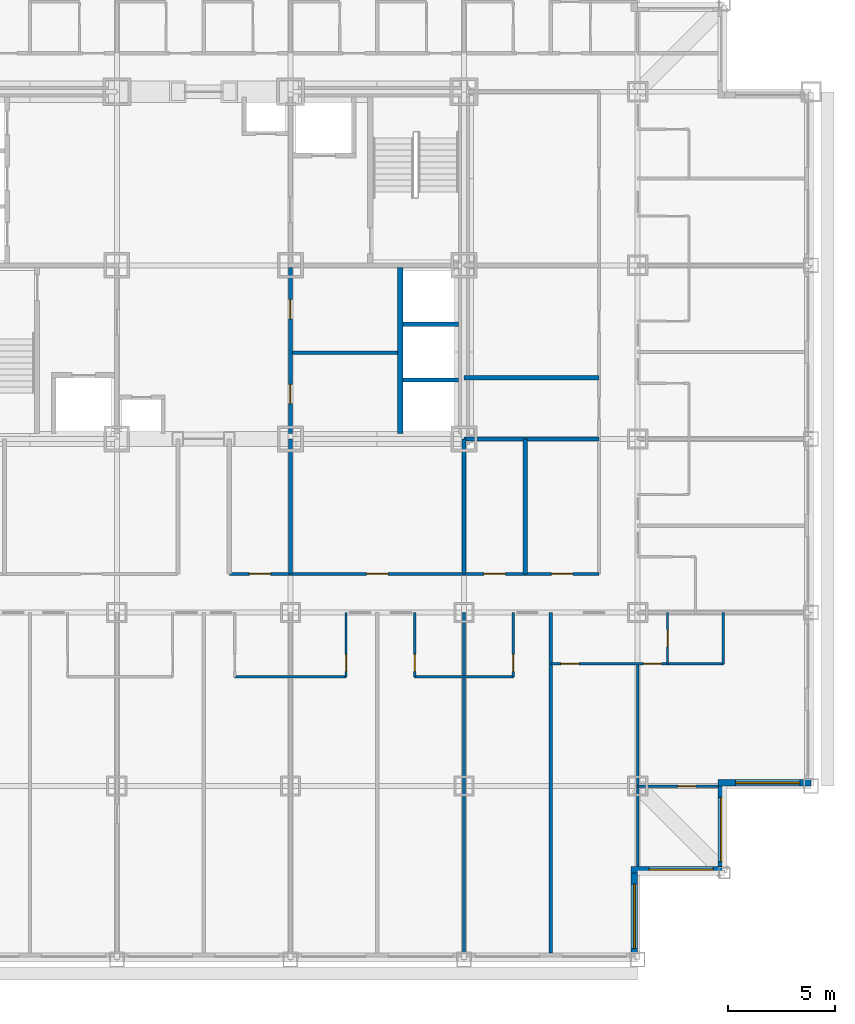
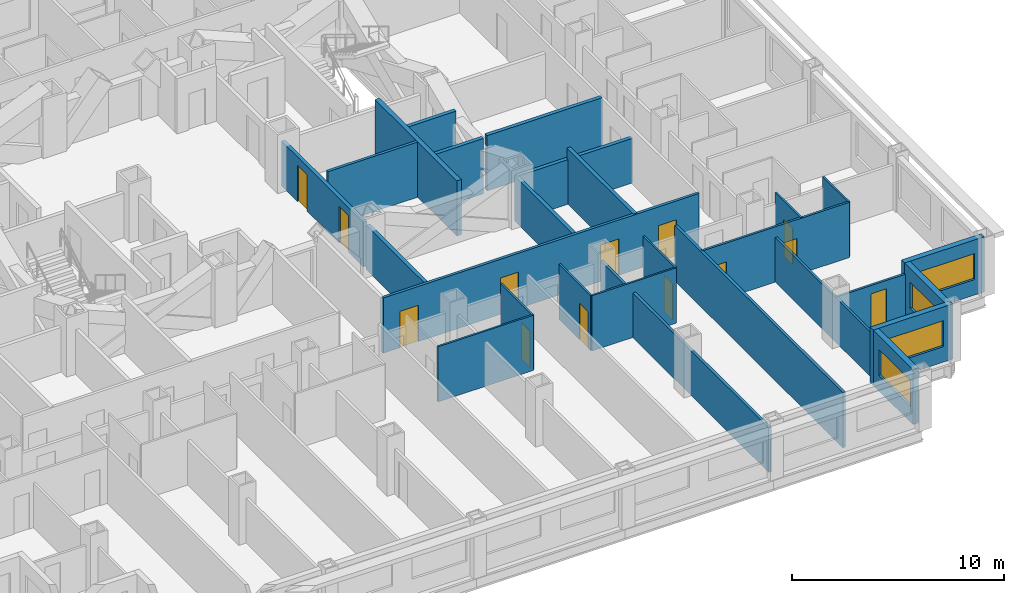
# One storey, part 6 of 12: 27 walls, 13 doors, 4 windows, 17 openings.
"""IFC4 building model written with IfcOpenShell, lengths in metres."""

from ifc_helpers import new_model, si_unit, direction, frame, frame_2d, origin, place, context, subcontext, project, spatial, rectangle, extrude, material, layer, layer_set, type_object, element, fill, save


model = new_model("IFC4")

# Units and contexts
model_context = context("Model", 3, precision=1e-05, world=origin(), true_north=direction((0.0, 1.0)))
body_context = subcontext(model_context, "Body", "Model", "MODEL_VIEW")
ifc_project = project(units=[si_unit("LENGTHUNIT", "METRE"), si_unit("AREAUNIT", "SQUARE_METRE"), si_unit("VOLUMEUNIT", "CUBIC_METRE"), si_unit("PLANEANGLEUNIT", "RADIAN"), si_unit("MASSUNIT", "GRAM", prefix="KILO")], contexts=[model_context])

# Site, building, storey
site_placement = place(None, origin())
site = spatial("IfcSite", under=ifc_project, at=site_placement, CompositionType="ELEMENT")
building_placement = place(site_placement, origin())
building = spatial("IfcBuilding", under=site, at=building_placement, Name="Kopane Lantern Tower", CompositionType="ELEMENT")
storey_placement = place(building_placement, frame((0.0, 0.0, 46.60009765625)))
storey = spatial("IfcBuildingStorey", under=building, at=storey_placement, Name="L10", CompositionType="ELEMENT", Elevation=46.60009765625)

# Wall, openings, doors
ifc_material_1 = material(Name="Gypsum board on steel studs", Category="steel")
ifc_layer_1 = layer(ifc_material_1, 0.1201171875)
ifc_layer_set_1 = layer_set([ifc_layer_1], Name="APARTMENT INTERNAL WALL 120")
wall_type_1 = type_object("IfcWallType", Name="APARTMENT INTERNAL WALL 120", PredefinedType="PARTITIONING", material=ifc_layer_set_1)
wall_1_placement = place(storey_placement, frame((44.550048828125, 13.800048828125, 0.0), z_axis=(0.0, 0.0, 1.0), x_axis=(1.0, 0.0, 0.0)))
wall_1 = element("IfcWall", 1, at=wall_1_placement, inside=storey, type_object=wall_type_1, Name="Apartment Internal Wall 120 L10", PredefinedType="PARTITIONING", context=body_context, shape_type="SweptSolid", body=[
    extrude(rectangle(XDim=8.050048828125, YDim=0.1201171875, at=frame_2d((4.02490234375, 0.0))), origin(), (0.0, 0.0, 1.0), 3.18994140625),
])
opening_1_placement = place(wall_1_placement, frame((0.47509765625, 0.0, 0.0)))
opening_1 = element("IfcOpeningElement", 2, at=opening_1_placement, cuts=wall_1, Name="Opening L10-079", PredefinedType="OPENING", context=body_context, shape_type="SweptSolid", body=[
    extrude(rectangle(XDim=0.85009765625, YDim=2.10009765625, at=frame_2d((0.425048828125, 1.050048828125))), frame((0.0, 0.070068359375, 0.0), z_axis=(0.0, -1.0, 0.0), x_axis=(1.0, 0.0, 0.0)), (0.0, 0.0, 1.0), 0.14013671875),
])
opening_2_placement = place(wall_1_placement, frame((4.324951171875, 0.0, 0.0)))
opening_2 = element("IfcOpeningElement", 3, at=opening_2_placement, cuts=wall_1, Name="Opening L10-081", PredefinedType="OPENING", context=body_context, shape_type="SweptSolid", body=[
    extrude(rectangle(XDim=0.85009765625, YDim=2.10009765625, at=frame_2d((0.425048828125, 1.050048828125))), frame((0.0, 0.070068359375, 0.0), z_axis=(0.0, -1.0, 0.0), x_axis=(1.0, 0.0, 0.0)), (0.0, 0.0, 1.0), 0.14013671875),
])
ifc_material_2 = material(Name="Timber door set", Category="wood")
door_type_1 = type_object("IfcDoorType", Name="DOOR D4 850x2100", OperationType="SINGLE_SWING_LEFT", PredefinedType="DOOR", material=ifc_material_2)
door_1_placement = place(opening_1_placement, origin())
door_1 = element("IfcDoor", 4, at=door_1_placement, inside=storey, type_object=door_type_1, Name="Door L10-079", OperationType="SINGLE_SWING_LEFT", OverallHeight=2.10009765625, OverallWidth=0.85009765625, PredefinedType="DOOR", context=body_context, shape_type="SweptSolid", body=[
    extrude(rectangle(XDim=0.85009765625, YDim=2.10009765625, at=frame_2d((0.425048828125, 1.050048828125))), frame((0.0, 0.02490234375, 0.0), z_axis=(0.0, -1.0, 0.0), x_axis=(1.0, 0.0, 0.0)), (0.0, 0.0, 1.0), 0.050048828125),
])
fill(opening_1, door_1)
door_2_placement = place(opening_2_placement, origin())
door_2 = element("IfcDoor", 5, at=door_2_placement, inside=storey, type_object=door_type_1, Name="Door L10-081", OperationType="SINGLE_SWING_RIGHT", OverallHeight=2.10009765625, OverallWidth=0.85009765625, PredefinedType="DOOR", context=body_context, shape_type="SweptSolid", body=[
    extrude(rectangle(XDim=0.85009765625, YDim=2.10009765625, at=frame_2d((0.425048828125, 1.050048828125))), frame((0.0, 0.02490234375, 0.0), z_axis=(0.0, -1.0, 0.0), x_axis=(1.0, 0.0, 0.0)), (0.0, 0.0, 1.0), 0.050048828125),
])
fill(opening_2, door_2)

# Wall
wall_2_placement = place(storey_placement, frame((48.60009765625, 13.800048828125, 0.0), z_axis=(0.0, 0.0, 1.0), x_axis=(0.0, -1.0, 0.0)))
element("IfcWall", 6, at=wall_2_placement, inside=storey, type_object=wall_type_1, Name="Apartment Internal Wall 120 L10", PredefinedType="PARTITIONING", context=body_context, shape_type="SweptSolid", body=[
    extrude(rectangle(XDim=9.449951171875, YDim=0.1201171875, at=frame_2d((4.72509765625, 0.0))), origin(), (0.0, 0.0, 1.0), 2.57763671875),
])

# Wall, opening, door
wall_3_placement = place(storey_placement, frame((48.60009765625, 8.10009765625, 0.0), z_axis=(0.0, 0.0, 1.0), x_axis=(1.0, 0.0, 0.0)))
wall_3 = element("IfcWall", 7, at=wall_3_placement, inside=storey, type_object=wall_type_1, Name="Apartment Internal Wall 120 L10", PredefinedType="PARTITIONING", context=body_context, shape_type="SweptSolid", body=[
    extrude(rectangle(XDim=3.75, YDim=0.1201171875, at=frame_2d((1.875, 0.0))), origin(), (0.0, 0.0, 1.0), 2.57763671875),
])
opening_3_placement = place(wall_3_placement, frame((1.875, 0.0, 0.0)))
opening_3 = element("IfcOpeningElement", 8, at=opening_3_placement, cuts=wall_3, Name="Opening L10-082", PredefinedType="OPENING", context=body_context, shape_type="SweptSolid", body=[
    extrude(rectangle(XDim=0.85009765625, YDim=2.10009765625, at=frame_2d((0.425048828125, 1.050048828125))), frame((0.0, 0.070068359375, 0.0), z_axis=(0.0, -1.0, 0.0), x_axis=(1.0, 0.0, 0.0)), (0.0, 0.0, 1.0), 0.14013671875),
])
door_3_placement = place(opening_3_placement, origin())
door_3 = element("IfcDoor", 9, at=door_3_placement, inside=storey, type_object=door_type_1, Name="Door L10-082", OperationType="SINGLE_SWING_LEFT", OverallHeight=2.10009765625, OverallWidth=0.85009765625, PredefinedType="DOOR", context=body_context, shape_type="SweptSolid", body=[
    extrude(rectangle(XDim=0.85009765625, YDim=2.10009765625, at=frame_2d((0.425048828125, 1.050048828125))), frame((0.0, 0.02490234375, 0.0), z_axis=(0.0, -1.0, 0.0), x_axis=(1.0, 0.0, 0.0)), (0.0, 0.0, 1.0), 0.050048828125),
])
fill(opening_3, door_3)

# Wall
ifc_material_3 = material(Name="Moisture-resistant board on steel studs", Category="steel")
ifc_layer_2 = layer(ifc_material_3, 0.10009765625)
ifc_layer_set_2 = layer_set([ifc_layer_2], Name="BATHROOM WALL 100")
wall_type_2 = type_object("IfcWallType", Name="BATHROOM WALL 100", PredefinedType="PARTITIONING", material=ifc_layer_set_2)
wall_4_placement = place(storey_placement, frame((29.800048828125, 13.199951171875, 0.0), z_axis=(0.0, 0.0, 1.0), x_axis=(1.0, 0.0, 0.0)))
element("IfcWall", 10, at=wall_4_placement, inside=storey, type_object=wall_type_2, Name="Bathroom Wall 100 L10", PredefinedType="PARTITIONING", context=body_context, shape_type="SweptSolid", body=[
    extrude(rectangle(XDim=5.199951171875, YDim=0.10009765625, at=frame_2d((2.60009765625, 0.0))), origin(), (0.0, 0.0, 1.0), 3.18994140625),
])

# Wall, opening, door
wall_5_placement = place(storey_placement, frame((35.0, 16.199951171875, 0.0), z_axis=(0.0, 0.0, 1.0), x_axis=(0.0, -1.0, 0.0)))
wall_5 = element("IfcWall", 11, at=wall_5_placement, inside=storey, type_object=wall_type_2, Name="Bathroom Wall 100 L10", PredefinedType="PARTITIONING", context=body_context, shape_type="SweptSolid", body=[
    extrude(rectangle(XDim=3.0, YDim=0.10009765625, at=frame_2d((1.5, 0.0))), origin(), (0.0, 0.0, 1.0), 3.18994140625),
])
opening_4_placement = place(wall_5_placement, frame((1.949951171875, 0.0, 0.0)))
opening_4 = element("IfcOpeningElement", 12, at=opening_4_placement, cuts=wall_5, Name="Opening L10-027", PredefinedType="OPENING", context=body_context, shape_type="SweptSolid", body=[
    extrude(rectangle(XDim=0.800048828125, YDim=2.10009765625, at=frame_2d((0.39990234375, 1.050048828125))), frame((0.0, 0.06005859375, 0.0), z_axis=(0.0, -1.0, 0.0), x_axis=(1.0, 0.0, 0.0)), (0.0, 0.0, 1.0), 0.1201171875),
])
ifc_material_4 = material(Name="Timber door set", Category="wood")
door_type_2 = type_object("IfcDoorType", Name="DOOR D2 800x2100", OperationType="SINGLE_SWING_LEFT", PredefinedType="DOOR", material=ifc_material_4)
door_4_placement = place(opening_4_placement, origin())
door_4 = element("IfcDoor", 13, at=door_4_placement, inside=storey, type_object=door_type_2, Name="Door L10-027", OperationType="SINGLE_SWING_LEFT", OverallHeight=2.10009765625, OverallWidth=0.800048828125, PredefinedType="DOOR", context=body_context, shape_type="SweptSolid", body=[
    extrude(rectangle(XDim=0.800048828125, YDim=2.10009765625, at=frame_2d((0.39990234375, 1.050048828125))), frame((0.0, 0.02490234375, 0.0), z_axis=(0.0, -1.0, 0.0), x_axis=(1.0, 0.0, 0.0)), (0.0, 0.0, 1.0), 0.050048828125),
])
fill(opening_4, door_4)

# Wall
wall_6_placement = place(storey_placement, frame((38.199951171875, 13.199951171875, 0.0), z_axis=(0.0, 0.0, 1.0), x_axis=(1.0, 0.0, 0.0)))
element("IfcWall", 14, at=wall_6_placement, inside=storey, type_object=wall_type_2, Name="Bathroom Wall 100 L10", PredefinedType="PARTITIONING", context=body_context, shape_type="SweptSolid", body=[
    extrude(rectangle(XDim=4.60009765625, YDim=0.10009765625, at=frame_2d((2.300048828125, 0.0))), origin(), (0.0, 0.0, 1.0), 3.18994140625),
])

# Wall, opening, door
wall_7_placement = place(storey_placement, frame((38.199951171875, 16.199951171875, 0.0), z_axis=(0.0, 0.0, 1.0), x_axis=(0.0, -1.0, 0.0)))
wall_7 = element("IfcWall", 15, at=wall_7_placement, inside=storey, type_object=wall_type_2, Name="Bathroom Wall 100 L10", PredefinedType="PARTITIONING", context=body_context, shape_type="SweptSolid", body=[
    extrude(rectangle(XDim=3.0, YDim=0.10009765625, at=frame_2d((1.5, 0.0))), origin(), (0.0, 0.0, 1.0), 3.18994140625),
])
opening_5_placement = place(wall_7_placement, frame((1.949951171875, 0.0, 0.0)))
opening_5 = element("IfcOpeningElement", 16, at=opening_5_placement, cuts=wall_7, Name="Opening L10-029", PredefinedType="OPENING", context=body_context, shape_type="SweptSolid", body=[
    extrude(rectangle(XDim=0.800048828125, YDim=2.10009765625, at=frame_2d((0.39990234375, 1.050048828125))), frame((0.0, 0.06005859375, 0.0), z_axis=(0.0, -1.0, 0.0), x_axis=(1.0, 0.0, 0.0)), (0.0, 0.0, 1.0), 0.1201171875),
])
door_5_placement = place(opening_5_placement, origin())
door_5 = element("IfcDoor", 17, at=door_5_placement, inside=storey, type_object=door_type_2, Name="Door L10-029", OperationType="SINGLE_SWING_RIGHT", OverallHeight=2.10009765625, OverallWidth=0.800048828125, PredefinedType="DOOR", context=body_context, shape_type="SweptSolid", body=[
    extrude(rectangle(XDim=0.800048828125, YDim=2.10009765625, at=frame_2d((0.39990234375, 1.050048828125))), frame((0.0, 0.02490234375, 0.0), z_axis=(0.0, -1.0, 0.0), x_axis=(1.0, 0.0, 0.0)), (0.0, 0.0, 1.0), 0.050048828125),
])
fill(opening_5, door_5)

wall_8_placement = place(storey_placement, frame((42.800048828125, 16.199951171875, 0.0), z_axis=(0.0, 0.0, 1.0), x_axis=(0.0, -1.0, 0.0)))
wall_8 = element("IfcWall", 18, at=wall_8_placement, inside=storey, type_object=wall_type_2, Name="Bathroom Wall 100 L10", PredefinedType="PARTITIONING", context=body_context, shape_type="SweptSolid", body=[
    extrude(rectangle(XDim=3.0, YDim=0.10009765625, at=frame_2d((1.5, 0.0))), origin(), (0.0, 0.0, 1.0), 3.18994140625),
])
opening_6_placement = place(wall_8_placement, frame((1.949951171875, 0.0, 0.0)))
opening_6 = element("IfcOpeningElement", 19, at=opening_6_placement, cuts=wall_8, Name="Opening L10-031", PredefinedType="OPENING", context=body_context, shape_type="SweptSolid", body=[
    extrude(rectangle(XDim=0.800048828125, YDim=2.10009765625, at=frame_2d((0.39990234375, 1.050048828125))), frame((0.0, 0.06005859375, 0.0), z_axis=(0.0, -1.0, 0.0), x_axis=(1.0, 0.0, 0.0)), (0.0, 0.0, 1.0), 0.1201171875),
])
door_6_placement = place(opening_6_placement, origin())
door_6 = element("IfcDoor", 20, at=door_6_placement, inside=storey, type_object=door_type_2, Name="Door L10-031", OperationType="SINGLE_SWING_LEFT", OverallHeight=2.10009765625, OverallWidth=0.800048828125, PredefinedType="DOOR", context=body_context, shape_type="SweptSolid", body=[
    extrude(rectangle(XDim=0.800048828125, YDim=2.10009765625, at=frame_2d((0.39990234375, 1.050048828125))), frame((0.0, 0.02490234375, 0.0), z_axis=(0.0, -1.0, 0.0), x_axis=(1.0, 0.0, 0.0)), (0.0, 0.0, 1.0), 0.050048828125),
])
fill(opening_6, door_6)

wall_9_placement = place(storey_placement, frame((50.0, 16.199951171875, 0.0), z_axis=(0.0, 0.0, 1.0), x_axis=(0.0, -1.0, 0.0)))
wall_9 = element("IfcWall", 21, at=wall_9_placement, inside=storey, type_object=wall_type_2, Name="Bathroom Wall 100 L10", PredefinedType="PARTITIONING", context=body_context, shape_type="SweptSolid", body=[
    extrude(rectangle(XDim=2.39990234375, YDim=0.10009765625, at=frame_2d((1.199951171875, 0.0))), origin(), (0.0, 0.0, 1.0), 3.18994140625),
])
opening_7_placement = place(wall_9_placement, frame((0.800048828125, 0.0, 0.0)))
opening_7 = element("IfcOpeningElement", 22, at=opening_7_placement, cuts=wall_9, Name="Opening L10-080", PredefinedType="OPENING", context=body_context, shape_type="SweptSolid", body=[
    extrude(rectangle(XDim=0.800048828125, YDim=2.10009765625, at=frame_2d((0.39990234375, 1.050048828125))), frame((0.0, 0.06005859375, 0.0), z_axis=(0.0, -1.0, 0.0), x_axis=(1.0, 0.0, 0.0)), (0.0, 0.0, 1.0), 0.1201171875),
])
door_7_placement = place(opening_7_placement, origin())
door_7 = element("IfcDoor", 23, at=door_7_placement, inside=storey, type_object=door_type_2, Name="Door L10-080", OperationType="SINGLE_SWING_LEFT", OverallHeight=2.10009765625, OverallWidth=0.800048828125, PredefinedType="DOOR", context=body_context, shape_type="SweptSolid", body=[
    extrude(rectangle(XDim=0.800048828125, YDim=2.10009765625, at=frame_2d((0.39990234375, 1.050048828125))), frame((0.0, 0.02490234375, 0.0), z_axis=(0.0, -1.0, 0.0), x_axis=(1.0, 0.0, 0.0)), (0.0, 0.0, 1.0), 0.050048828125),
])
fill(opening_7, door_7)

# Walls
wall_10_placement = place(storey_placement, frame((52.60009765625, 16.199951171875, 0.0), z_axis=(0.0, 0.0, 1.0), x_axis=(0.0, -1.0, 0.0)))
element("IfcWall", 24, at=wall_10_placement, inside=storey, type_object=wall_type_2, Name="Bathroom Wall 100 L10", PredefinedType="PARTITIONING", context=body_context, shape_type="SweptSolid", body=[
    extrude(rectangle(XDim=2.39990234375, YDim=0.10009765625, at=frame_2d((1.199951171875, 0.0))), origin(), (0.0, 0.0, 1.0), 3.18994140625),
])
ifc_material_5 = material(Name="Gypsum partition EI 60", Category="gypsum")
ifc_layer_3 = layer(ifc_material_5, 0.14990234375)
ifc_layer_set_3 = layer_set([ifc_layer_3], Name="CORE ROOM PARTITION 150 EI 60")
wall_type_3 = type_object("IfcWallType", Name="CORE ROOM PARTITION 150 EI 60", PredefinedType="PARTITIONING", material=ifc_layer_set_3)
wall_11_placement = place(storey_placement, frame((32.5, 28.324951171875, 0.0), z_axis=(0.0, 0.0, 1.0), x_axis=(1.0, 0.0, 0.0)))
element("IfcWall", 25, at=wall_11_placement, inside=storey, type_object=wall_type_3, Name="Core room partition L10 E1", PredefinedType="PARTITIONING", context=body_context, shape_type="SweptSolid", body=[
    extrude(rectangle(XDim=4.89990234375, YDim=0.14990234375, at=frame_2d((2.449951171875, 0.0))), origin(), (0.0, 0.0, 1.0), 3.18994140625),
])

# Wall, openings, doors
ifc_material_6 = material(Name="Gypsum partition EI 60", Category="gypsum")
ifc_layer_4 = layer(ifc_material_6, 0.199951171875)
ifc_layer_set_4 = layer_set([ifc_layer_4], Name="CORE ROOM WALL 200 EI 60")
wall_type_4 = type_object("IfcWallType", Name="CORE ROOM WALL 200 EI 60", PredefinedType="PARTITIONING", material=ifc_layer_set_4)
wall_12_placement = place(storey_placement, frame((32.39990234375, 24.550048828125, 0.0), z_axis=(0.0, 0.0, 1.0), x_axis=(0.0, 1.0, 0.0)))
wall_12 = element("IfcWall", 26, at=wall_12_placement, inside=storey, type_object=wall_type_4, Name="Core room wall L10 XE", PredefinedType="PARTITIONING", context=body_context, shape_type="SweptSolid", body=[
    extrude(rectangle(XDim=7.75, YDim=0.199951171875, at=frame_2d((3.875, 0.0))), origin(), (0.0, 0.0, 1.0), 2.57763671875),
])
opening_8_placement = place(wall_12_placement, frame((1.39990234375, 0.0, 0.0)))
opening_8 = element("IfcOpeningElement", 27, at=opening_8_placement, cuts=wall_12, Name="Opening 10.C20", PredefinedType="OPENING", context=body_context, shape_type="SweptSolid", body=[
    extrude(rectangle(XDim=0.89990234375, YDim=2.10009765625, at=frame_2d((0.449951171875, 1.050048828125))), frame((0.0, 0.10986328125, 0.0), z_axis=(0.0, -1.0, 0.0), x_axis=(1.0, 0.0, 0.0)), (0.0, 0.0, 1.0), 0.219970703125),
])
opening_9_placement = place(wall_12_placement, frame((5.35009765625, 0.0, 0.0)))
opening_9 = element("IfcOpeningElement", 28, at=opening_9_placement, cuts=wall_12, Name="Opening 10.C21", PredefinedType="OPENING", context=body_context, shape_type="SweptSolid", body=[
    extrude(rectangle(XDim=0.89990234375, YDim=2.10009765625, at=frame_2d((0.449951171875, 1.050048828125))), frame((0.0, 0.10986328125, 0.0), z_axis=(0.0, -1.0, 0.0), x_axis=(1.0, 0.0, 0.0)), (0.0, 0.0, 1.0), 0.219970703125),
])
ifc_material_7 = material(Name="Steel door set", Category="steel")
door_type_3 = type_object("IfcDoorType", Name="CORE ROOM DOOR 900x2100 FD60", OperationType="SINGLE_SWING_LEFT", PredefinedType="DOOR", material=ifc_material_7)
door_8_placement = place(opening_8_placement, origin())
door_8 = element("IfcDoor", 29, at=door_8_placement, inside=storey, type_object=door_type_3, Name="Door Linen store L10", OperationType="SINGLE_SWING_LEFT", OverallHeight=2.10009765625, OverallWidth=0.89990234375, PredefinedType="DOOR", context=body_context, shape_type="SweptSolid", body=[
    extrude(rectangle(XDim=0.89990234375, YDim=2.10009765625, at=frame_2d((0.449951171875, 1.050048828125))), frame((0.0, 0.02490234375, 0.0), z_axis=(0.0, -1.0, 0.0), x_axis=(1.0, 0.0, 0.0)), (0.0, 0.0, 1.0), 0.050048828125),
])
fill(opening_8, door_8)
door_9_placement = place(opening_9_placement, origin())
door_9 = element("IfcDoor", 30, at=door_9_placement, inside=storey, type_object=door_type_3, Name="Door Housekeeping store L10", OperationType="SINGLE_SWING_LEFT", OverallHeight=2.10009765625, OverallWidth=0.89990234375, PredefinedType="DOOR", context=body_context, shape_type="SweptSolid", body=[
    extrude(rectangle(XDim=0.89990234375, YDim=2.10009765625, at=frame_2d((0.449951171875, 1.050048828125))), frame((0.0, 0.02490234375, 0.0), z_axis=(0.0, -1.0, 0.0), x_axis=(1.0, 0.0, 0.0)), (0.0, 0.0, 1.0), 0.050048828125),
])
fill(opening_9, door_9)

# Wall
ifc_material_8 = material(Name="Gypsum shaft wall EI 120", Category="gypsum")
ifc_layer_5 = layer(ifc_material_8, 0.25)
ifc_layer_set_5 = layer_set([ifc_layer_5], Name="CORE SHAFT WALL 250 EI 120")
wall_type_5 = type_object("IfcWallType", Name="CORE SHAFT WALL 250 EI 120", PredefinedType="SOLIDWALL", material=ifc_layer_set_5)
wall_13_placement = place(storey_placement, frame((37.52490234375, 24.550048828125, 0.0), z_axis=(0.0, 0.0, 1.0), x_axis=(0.0, 1.0, 0.0)))
element("IfcWall", 31, at=wall_13_placement, inside=storey, type_object=wall_type_5, Name="Core shaft wall L10 XLR", PredefinedType="SOLIDWALL", context=body_context, shape_type="SweptSolid", body=[
    extrude(rectangle(XDim=7.75, YDim=0.25, at=frame_2d((3.875, 0.0))), origin(), (0.0, 0.0, 1.0), 3.18994140625),
])

# Wall, openings, doors
ifc_material_9 = material(Name="Gypsum board on steel studs", Category="steel")
ifc_layer_6 = layer(ifc_material_9, 0.14990234375)
ifc_layer_set_6 = layer_set([ifc_layer_6], Name="CORRIDOR WALL 150 EI 60")
wall_type_6 = type_object("IfcWallType", Name="CORRIDOR WALL 150 EI 60", PredefinedType="PARTITIONING", material=ifc_layer_set_6)
wall_14_placement = place(storey_placement, frame((29.56005859375, 18.0, 0.0), z_axis=(0.0, 0.0, 1.0), x_axis=(1.0, 0.0, 0.0)))
wall_14 = element("IfcWall", 32, at=wall_14_placement, inside=storey, type_object=wall_type_6, Name="Corridor Wall 150 Ei 60 L10", PredefinedType="PARTITIONING", context=body_context, shape_type="SweptSolid", body=[
    extrude(rectangle(XDim=17.239990234375, YDim=0.14990234375, at=frame_2d((8.6201171875, 0.0))), origin(), (0.0, 0.0, 1.0), 3.18994140625),
])
opening_10_placement = place(wall_14_placement, frame((0.918701171875, 0.0, 0.0)))
opening_10 = element("IfcOpeningElement", 33, at=opening_10_placement, cuts=wall_14, Name="Opening L10-012", PredefinedType="OPENING", context=body_context, shape_type="SweptSolid", body=[
    extrude(rectangle(XDim=1.0, YDim=2.10009765625, at=frame_2d((0.5, 1.050048828125))), frame((0.0, 0.0849609375, 0.0), z_axis=(0.0, -1.0, 0.0), x_axis=(1.0, 0.0, 0.0)), (0.0, 0.0, 1.0), 0.169921875),
])
opening_11_placement = place(wall_14_placement, frame((6.3935546875, 0.0, 0.0)))
opening_11 = element("IfcOpeningElement", 34, at=opening_11_placement, cuts=wall_14, Name="Opening L10-013", PredefinedType="OPENING", context=body_context, shape_type="SweptSolid", body=[
    extrude(rectangle(XDim=1.0, YDim=2.10009765625, at=frame_2d((0.5, 1.050048828125))), frame((0.0, 0.0849609375, 0.0), z_axis=(0.0, -1.0, 0.0), x_axis=(1.0, 0.0, 0.0)), (0.0, 0.0, 1.0), 0.169921875),
])
opening_12_placement = place(wall_14_placement, frame((11.86865234375, 0.0, 0.0)))
opening_12 = element("IfcOpeningElement", 35, at=opening_12_placement, cuts=wall_14, Name="Opening L10-014", PredefinedType="OPENING", context=body_context, shape_type="SweptSolid", body=[
    extrude(rectangle(XDim=1.0, YDim=2.10009765625, at=frame_2d((0.5, 1.050048828125))), frame((0.0, 0.0849609375, 0.0), z_axis=(0.0, -1.0, 0.0), x_axis=(1.0, 0.0, 0.0)), (0.0, 0.0, 1.0), 0.169921875),
])
opening_13_placement = place(wall_14_placement, frame((15.0185546875, 0.0, 0.0)))
opening_13 = element("IfcOpeningElement", 36, at=opening_13_placement, cuts=wall_14, Name="Opening L10-015", PredefinedType="OPENING", context=body_context, shape_type="SweptSolid", body=[
    extrude(rectangle(XDim=1.0, YDim=2.10009765625, at=frame_2d((0.5, 1.050048828125))), frame((0.0, 0.0849609375, 0.0), z_axis=(0.0, -1.0, 0.0), x_axis=(1.0, 0.0, 0.0)), (0.0, 0.0, 1.0), 0.169921875),
])
ifc_material_10 = material(Name="Steel door set", Category="steel")
door_type_4 = type_object("IfcDoorType", Name="DOOR D5 1000x2100 FD60", OperationType="SINGLE_SWING_LEFT", PredefinedType="DOOR", material=ifc_material_10)
door_10_placement = place(opening_10_placement, origin())
door_10 = element("IfcDoor", 37, at=door_10_placement, inside=storey, type_object=door_type_4, Name="Door L10-012", OperationType="SINGLE_SWING_LEFT", OverallHeight=2.10009765625, OverallWidth=1.0, PredefinedType="DOOR", context=body_context, shape_type="SweptSolid", body=[
    extrude(rectangle(XDim=1.0, YDim=2.10009765625, at=frame_2d((0.5, 1.050048828125))), frame((0.0, 0.02490234375, 0.0), z_axis=(0.0, -1.0, 0.0), x_axis=(1.0, 0.0, 0.0)), (0.0, 0.0, 1.0), 0.050048828125),
])
fill(opening_10, door_10)
door_11_placement = place(opening_11_placement, origin())
door_11 = element("IfcDoor", 38, at=door_11_placement, inside=storey, type_object=door_type_4, Name="Door L10-013", OperationType="SINGLE_SWING_RIGHT", OverallHeight=2.10009765625, OverallWidth=1.0, PredefinedType="DOOR", context=body_context, shape_type="SweptSolid", body=[
    extrude(rectangle(XDim=1.0, YDim=2.10009765625, at=frame_2d((0.5, 1.050048828125))), frame((0.0, 0.02490234375, 0.0), z_axis=(0.0, -1.0, 0.0), x_axis=(1.0, 0.0, 0.0)), (0.0, 0.0, 1.0), 0.050048828125),
])
fill(opening_11, door_11)
door_12_placement = place(opening_12_placement, origin())
door_12 = element("IfcDoor", 39, at=door_12_placement, inside=storey, type_object=door_type_4, Name="Door L10-014", OperationType="SINGLE_SWING_LEFT", OverallHeight=2.10009765625, OverallWidth=1.0, PredefinedType="DOOR", context=body_context, shape_type="SweptSolid", body=[
    extrude(rectangle(XDim=1.0, YDim=2.10009765625, at=frame_2d((0.5, 1.050048828125))), frame((0.0, 0.02490234375, 0.0), z_axis=(0.0, -1.0, 0.0), x_axis=(1.0, 0.0, 0.0)), (0.0, 0.0, 1.0), 0.050048828125),
])
fill(opening_12, door_12)
door_13_placement = place(opening_13_placement, origin())
door_13 = element("IfcDoor", 40, at=door_13_placement, inside=storey, type_object=door_type_4, Name="Door L10-015", OperationType="SINGLE_SWING_RIGHT", OverallHeight=2.10009765625, OverallWidth=1.0, PredefinedType="DOOR", context=body_context, shape_type="SweptSolid", body=[
    extrude(rectangle(XDim=1.0, YDim=2.10009765625, at=frame_2d((0.5, 1.050048828125))), frame((0.0, 0.02490234375, 0.0), z_axis=(0.0, -1.0, 0.0), x_axis=(1.0, 0.0, 0.0)), (0.0, 0.0, 1.0), 0.050048828125),
])
fill(opening_13, door_13)

# Walls
ifc_material_11 = material(Name="Gypsum board on steel studs", Category="steel")
ifc_layer_7 = layer(ifc_material_11, 0.14990234375)
ifc_layer_set_7 = layer_set([ifc_layer_7], Name="DEMISING WALL 150 EI 60")
wall_type_7 = type_object("IfcWallType", Name="DEMISING WALL 150 EI 60", PredefinedType="PARTITIONING", material=ifc_layer_set_7)
wall_15_placement = place(storey_placement, frame((40.5, 16.199951171875, 0.0), z_axis=(0.0, 0.0, 1.0), x_axis=(0.0, -1.0, 0.0)))
element("IfcWall", 41, at=wall_15_placement, inside=storey, type_object=wall_type_7, Name="Demising Wall 150 Ei 60 L10", PredefinedType="PARTITIONING", context=body_context, shape_type="SweptSolid", body=[
    extrude(rectangle(XDim=15.89990234375, YDim=0.14990234375, at=frame_2d((7.949951171875, 0.0))), origin(), (0.0, 0.0, 1.0), 2.57763671875),
])
wall_16_placement = place(storey_placement, frame((44.550048828125, 16.199951171875, 0.0), z_axis=(0.0, 0.0, 1.0), x_axis=(0.0, -1.0, 0.0)))
element("IfcWall", 42, at=wall_16_placement, inside=storey, type_object=wall_type_7, Name="Demising Wall 150 Ei 60 L10", PredefinedType="PARTITIONING", context=body_context, shape_type="SweptSolid", body=[
    extrude(rectangle(XDim=15.89990234375, YDim=0.14990234375, at=frame_2d((7.949951171875, 0.0))), origin(), (0.0, 0.0, 1.0), 3.18994140625),
])

# Wall, opening, window
ifc_material_12 = material(Name="Terracotta rainscreen on light steel framing", Category="masonry")
ifc_layer_8 = layer(ifc_material_12, 0.300048828125)
ifc_layer_set_8 = layer_set([ifc_layer_8], Name="EXTERNAL WALL EW1 300 TERRACOTTA")
wall_type_8 = type_object("IfcWallType", Name="EXTERNAL WALL EW1 300 TERRACOTTA", PredefinedType="SOLIDWALL", material=ifc_layer_set_8)
wall_17_placement = place(storey_placement, frame((48.449951171875, 0.300048828125, 0.0), z_axis=(0.0, 0.0, 1.0), x_axis=(0.0, 1.0, 0.0)))
wall_17 = element("IfcWall", 43, at=wall_17_placement, inside=storey, type_object=wall_type_8, Name="External wall E L10", PredefinedType="SOLIDWALL", context=body_context, shape_type="SweptSolid", body=[
    extrude(rectangle(XDim=3.75, YDim=0.300048828125, at=frame_2d((1.875, 0.0))), origin(), (0.0, 0.0, 1.0), 3.18994140625),
])
opening_14_placement = place(wall_17_placement, frame((0.22509765625, 0.0, 0.89990234375)))
opening_14 = element("IfcOpeningElement", 44, at=opening_14_placement, cuts=wall_17, Name="Opening WR300150", PredefinedType="OPENING", context=body_context, shape_type="SweptSolid", body=[
    extrude(rectangle(XDim=3.0, YDim=1.5, at=frame_2d((1.5, 0.75))), frame((0.0, 0.159912109375, 0.0), z_axis=(0.0, -1.0, 0.0), x_axis=(1.0, 0.0, 0.0)), (0.0, 0.0, 1.0), 0.320068359375),
])
ifc_material_13 = material(Name="Aluminium and clear glass", Category="aluminium")
window_type = type_object("IfcWindowType", Name="RIBBON WINDOW WR300150 3000x1500", PartitioningType="SINGLE_PANEL", PredefinedType="WINDOW", material=ifc_material_13)
window_1_placement = place(opening_14_placement, origin())
window_1 = element("IfcWindow", 45, at=window_1_placement, inside=storey, type_object=window_type, Name="Window E L10", OverallHeight=1.5, OverallWidth=3.0, PartitioningType="SINGLE_PANEL", PredefinedType="WINDOW", context=body_context, shape_type="SweptSolid", body=[
    extrude(rectangle(XDim=3.0, YDim=1.5, at=frame_2d((1.5, 0.75))), frame((0.0, 0.030029296875, 0.0), z_axis=(0.0, -1.0, 0.0), x_axis=(1.0, 0.0, 0.0)), (0.0, 0.0, 1.0), 0.06005859375),
])
fill(opening_14, window_1)

wall_18_placement = place(storey_placement, frame((48.300048828125, 4.199951171875, 0.0), z_axis=(0.0, 0.0, 1.0), x_axis=(1.0, 0.0, 0.0)))
wall_18 = element("IfcWall", 46, at=wall_18_placement, inside=storey, type_object=wall_type_8, Name="External wall S L10", PredefinedType="SOLIDWALL", context=body_context, shape_type="SweptSolid", body=[
    extrude(rectangle(XDim=4.349853515625, YDim=0.300048828125, at=frame_2d((2.1748046875, 0.0))), origin(), (0.0, 0.0, 1.0), 3.18994140625),
])
opening_15_placement = place(wall_18_placement, frame((0.824951171875, 0.0, 0.89990234375)))
opening_15 = element("IfcOpeningElement", 47, at=opening_15_placement, cuts=wall_18, Name="Opening WR300150", PredefinedType="OPENING", context=body_context, shape_type="SweptSolid", body=[
    extrude(rectangle(XDim=3.0, YDim=1.5, at=frame_2d((1.5, 0.75))), frame((0.0, 0.159912109375, 0.0), z_axis=(0.0, -1.0, 0.0), x_axis=(1.0, 0.0, 0.0)), (0.0, 0.0, 1.0), 0.320068359375),
])
window_2_placement = place(opening_15_placement, origin())
window_2 = element("IfcWindow", 48, at=window_2_placement, inside=storey, type_object=window_type, Name="Window S L10", OverallHeight=1.5, OverallWidth=3.0, PartitioningType="SINGLE_PANEL", PredefinedType="WINDOW", context=body_context, shape_type="SweptSolid", body=[
    extrude(rectangle(XDim=3.0, YDim=1.5, at=frame_2d((1.5, 0.75))), frame((0.0, 0.030029296875, 0.0), z_axis=(0.0, -1.0, 0.0), x_axis=(1.0, 0.0, 0.0)), (0.0, 0.0, 1.0), 0.06005859375),
])
fill(opening_15, window_2)

wall_19_placement = place(storey_placement, frame((52.5, 4.35009765625, 0.0), z_axis=(0.0, 0.0, 1.0), x_axis=(0.0, 1.0, 0.0)))
wall_19 = element("IfcWall", 49, at=wall_19_placement, inside=storey, type_object=wall_type_8, Name="External wall E L10", PredefinedType="SOLIDWALL", context=body_context, shape_type="SweptSolid", body=[
    extrude(rectangle(XDim=3.75, YDim=0.300048828125, at=frame_2d((1.875, 0.0))), origin(), (0.0, 0.0, 1.0), 3.18994140625),
])
opening_16_placement = place(wall_19_placement, frame((0.22509765625, 0.0, 0.89990234375)))
opening_16 = element("IfcOpeningElement", 50, at=opening_16_placement, cuts=wall_19, Name="Opening WR300150", PredefinedType="OPENING", context=body_context, shape_type="SweptSolid", body=[
    extrude(rectangle(XDim=3.0, YDim=1.5, at=frame_2d((1.5, 0.75))), frame((0.0, 0.159912109375, 0.0), z_axis=(0.0, -1.0, 0.0), x_axis=(1.0, 0.0, 0.0)), (0.0, 0.0, 1.0), 0.320068359375),
])
window_3_placement = place(opening_16_placement, origin())
window_3 = element("IfcWindow", 51, at=window_3_placement, inside=storey, type_object=window_type, Name="Window E L10", OverallHeight=1.5, OverallWidth=3.0, PartitioningType="SINGLE_PANEL", PredefinedType="WINDOW", context=body_context, shape_type="SweptSolid", body=[
    extrude(rectangle(XDim=3.0, YDim=1.5, at=frame_2d((1.5, 0.75))), frame((0.0, 0.030029296875, 0.0), z_axis=(0.0, -1.0, 0.0), x_axis=(1.0, 0.0, 0.0)), (0.0, 0.0, 1.0), 0.06005859375),
])
fill(opening_16, window_3)

wall_20_placement = place(storey_placement, frame((52.35009765625, 8.25, 0.0), z_axis=(0.0, 0.0, 1.0), x_axis=(1.0, 0.0, 0.0)))
wall_20 = element("IfcWall", 52, at=wall_20_placement, inside=storey, type_object=wall_type_8, Name="External wall S L10", PredefinedType="SOLIDWALL", context=body_context, shape_type="SweptSolid", body=[
    extrude(rectangle(XDim=4.349853515625, YDim=0.300048828125, at=frame_2d((2.1748046875, 0.0))), origin(), (0.0, 0.0, 1.0), 3.18994140625),
])
opening_17_placement = place(wall_20_placement, frame((0.824951171875, 0.0, 0.89990234375)))
opening_17 = element("IfcOpeningElement", 53, at=opening_17_placement, cuts=wall_20, Name="Opening WR300150", PredefinedType="OPENING", context=body_context, shape_type="SweptSolid", body=[
    extrude(rectangle(XDim=3.0, YDim=1.5, at=frame_2d((1.5, 0.75))), frame((0.0, 0.159912109375, 0.0), z_axis=(0.0, -1.0, 0.0), x_axis=(1.0, 0.0, 0.0)), (0.0, 0.0, 1.0), 0.320068359375),
])
window_4_placement = place(opening_17_placement, origin())
window_4 = element("IfcWindow", 54, at=window_4_placement, inside=storey, type_object=window_type, Name="Window S L10", OverallHeight=1.5, OverallWidth=3.0, PartitioningType="SINGLE_PANEL", PredefinedType="WINDOW", context=body_context, shape_type="SweptSolid", body=[
    extrude(rectangle(XDim=3.0, YDim=1.5, at=frame_2d((1.5, 0.75))), frame((0.0, 0.030029296875, 0.0), z_axis=(0.0, -1.0, 0.0), x_axis=(1.0, 0.0, 0.0)), (0.0, 0.0, 1.0), 0.06005859375),
])
fill(opening_17, window_4)

# Walls
ifc_material_14 = material(Name="Concrete masonry", Category="masonry")
ifc_layer_9 = layer(ifc_material_14, 0.199951171875)
ifc_layer_set_9 = layer_set([ifc_layer_9], Name="PLANT ROOM WALL 200 EI 120")
wall_type_9 = type_object("IfcWallType", Name="PLANT ROOM WALL 200 EI 120", PredefinedType="SOLIDWALL", material=ifc_layer_set_9)
wall_21_placement = place(storey_placement, frame((46.800048828125, 27.156982421875, 0.0), z_axis=(0.0, 0.0, 1.0), x_axis=(-1.0, 0.0, 0.0)))
element("IfcWall", 55, at=wall_21_placement, inside=storey, type_object=wall_type_9, Name="Plant Room Wall 200 Ei 120 L10", PredefinedType="SOLIDWALL", context=body_context, shape_type="SweptSolid", body=[
    extrude(rectangle(XDim=6.300048828125, YDim=0.199951171875, at=frame_2d((3.14990234375, 0.0))), origin(), (0.0, 0.0, 1.0), 3.18994140625),
])
for number, where, z_axis, x_axis, name in (
    (56, (40.5, 18.0, 0.0), (0.0, 0.0, 1.0), (0.0, 1.0, 0.0), "Plant Room Wall 200 Ei 120 L10"),
    (57, (32.406982421875, 18.0, 0.0), (0.0, 0.0, 1.0), (0.0, 1.0, 0.0), "Plant Room Wall 200 Ei 120 L10"),
):
    element("IfcWall", number, at=place(storey_placement, frame(where, z_axis=z_axis, x_axis=x_axis)), inside=storey, type_object=wall_type_9, Name=name, PredefinedType="SOLIDWALL", context=body_context, shape_type="SweptSolid", body=[
        extrude(rectangle(XDim=6.300048828125, YDim=0.199951171875, at=frame_2d((3.14990234375, 0.0))), origin(), (0.0, 0.0, 1.0), 2.57763671875),
    ])
wall_22_placement = place(storey_placement, frame((43.357177734375, 18.0, 0.0), z_axis=(0.0, 0.0, 1.0), x_axis=(0.0, 1.0, 0.0)))
element("IfcWall", 58, at=wall_22_placement, inside=storey, type_object=wall_type_9, Name="Plant Room Wall 200 Ei 120 L10", PredefinedType="SOLIDWALL", context=body_context, shape_type="SweptSolid", body=[
    extrude(rectangle(XDim=6.300048828125, YDim=0.199951171875, at=frame_2d((3.14990234375, 0.0))), origin(), (0.0, 0.0, 1.0), 3.18994140625),
])
wall_23_placement = place(storey_placement, frame((40.5, 24.300048828125, 0.0), z_axis=(0.0, 0.0, 1.0), x_axis=(1.0, 0.0, 0.0)))
element("IfcWall", 59, at=wall_23_placement, inside=storey, type_object=wall_type_9, Name="Plant Room Wall 200 Ei 120 L10", PredefinedType="SOLIDWALL", context=body_context, shape_type="SweptSolid", body=[
    extrude(rectangle(XDim=6.300048828125, YDim=0.199951171875, at=frame_2d((3.14990234375, 0.0))), origin(), (0.0, 0.0, 1.0), 2.57763671875),
])
ifc_material_15 = material(Name="Gypsum shaft wall EI 120", Category="gypsum")
ifc_layer_10 = layer(ifc_material_15, 0.199951171875)
ifc_layer_set_10 = layer_set([ifc_layer_10], Name="SHAFT WALL 200 EI 120")
wall_type_10 = type_object("IfcWallType", Name="SHAFT WALL 200 EI 120", PredefinedType="SOLIDWALL", material=ifc_layer_set_10)
for number, where, z_axis, x_axis, name in (
    (60, (37.64990234375, 27.050048828125, 0.0), (0.0, 0.0, 1.0), (1.0, 0.0, 0.0), "Core shaft wall L10 YLR12"),
    (61, (37.64990234375, 29.64990234375, 0.0), (0.0, 0.0, 1.0), (1.0, 0.0, 0.0), "Core shaft wall L10 YLR23"),
):
    element("IfcWall", number, at=place(storey_placement, frame(where, z_axis=z_axis, x_axis=x_axis)), inside=storey, type_object=wall_type_10, Name=name, PredefinedType="SOLIDWALL", context=body_context, shape_type="SweptSolid", body=[
        extrude(rectangle(XDim=2.60009765625, YDim=0.199951171875, at=frame_2d((1.300048828125, 0.0))), origin(), (0.0, 0.0, 1.0), 3.18994140625),
    ])

save(model, "model.ifc")
